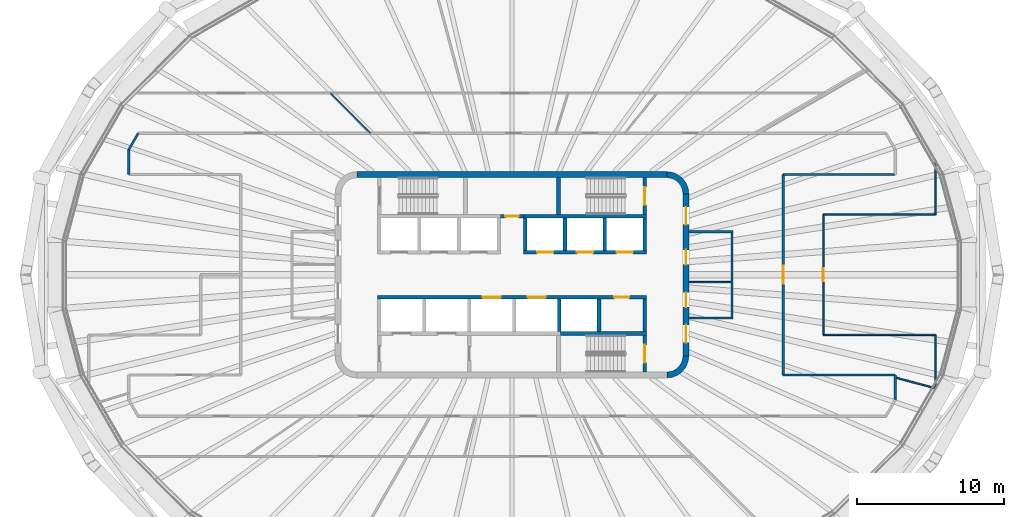
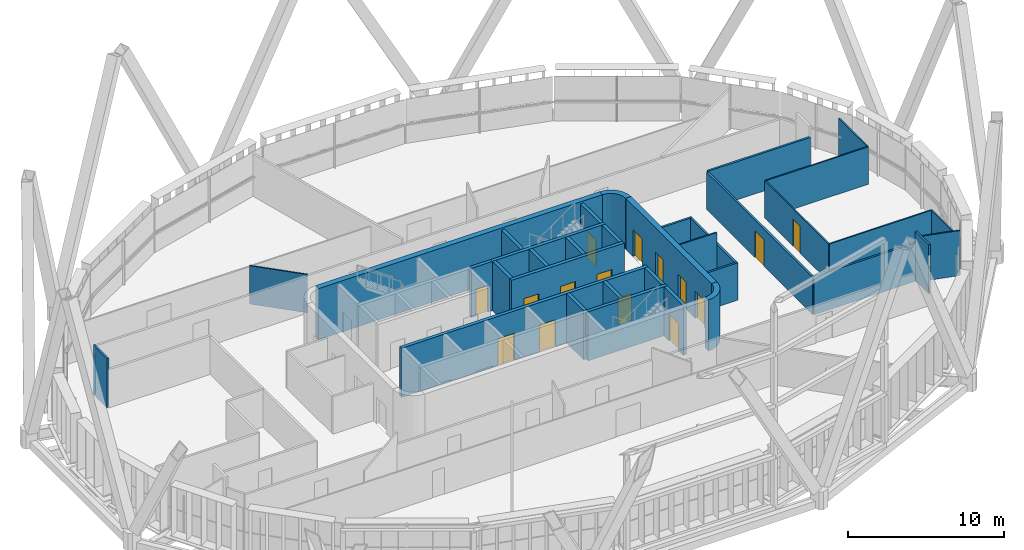
# One storey, part 14 of 22: 36 walls, 15 doors, 15 openings.
"""IFC4 building model written with IfcOpenShell, lengths in metres."""

from ifc_helpers import new_model, si_unit, direction, frame, frame_2d, origin, place, context, subcontext, project, spatial, polyline, rectangle, outline, extrude, material, layer, layer_set, type_object, element, fill, save


model = new_model("IFC4")

# Units and contexts
model_context = context("Model", 3, precision=1e-05, world=origin(), true_north=direction((0.0, 1.0)))
body_context = subcontext(model_context, "Body", "Model", "MODEL_VIEW")
ifc_project = project(units=[si_unit("LENGTHUNIT", "METRE"), si_unit("AREAUNIT", "SQUARE_METRE"), si_unit("VOLUMEUNIT", "CUBIC_METRE"), si_unit("PLANEANGLEUNIT", "RADIAN"), si_unit("MASSUNIT", "GRAM", prefix="KILO")], contexts=[model_context])

# Site, building, storey
site_placement = place(None, origin())
site = spatial("IfcSite", under=ifc_project, at=site_placement, CompositionType="ELEMENT")
building_placement = place(site_placement, origin())
building = spatial("IfcBuilding", under=site, at=building_placement, Name="Sahrelin Media Tower", CompositionType="ELEMENT")
storey_placement = place(building_placement, frame((0.0, 0.0, 233.60009765625)))
storey = spatial("IfcBuildingStorey", under=building, at=storey_placement, Name="L50", CompositionType="ELEMENT", Elevation=233.60009765625)

# Wall
ifc_material_1 = material(Name="Concrete C60/75", Category="concrete")
ifc_layer_1 = layer(ifc_material_1, 0.39990234375)
ifc_layer_set_1 = layer_set([ifc_layer_1], Name="Core wall 400")
wall_type_1 = type_object("IfcWallType", Name="Core wall 400", PredefinedType="SHEAR", material=ifc_layer_set_1)
wall_1_placement = place(storey_placement, frame((-10.5, 6.800048828125, 0.0), z_axis=(0.0, 0.0, 1.0), x_axis=(1.0, 0.0, 0.0)))
element("IfcWall", 1, at=wall_1_placement, inside=storey, type_object=wall_type_1, Name="Core wall N L50", PredefinedType="SHEAR", context=body_context, shape_type="SweptSolid", body=[
    extrude(rectangle(XDim=21.0, YDim=0.39990234375, at=frame_2d((10.5, 0.0))), origin(), (0.0, 0.0, 1.0), 4.0),
])

# Wall, openings, doors
wall_2_placement = place(storey_placement, frame((11.800048828125, -5.5, 0.0), z_axis=(0.0, 0.0, 1.0), x_axis=(0.0, 1.0, 0.0)))
wall_2 = element("IfcWall", 2, at=wall_2_placement, inside=storey, type_object=wall_type_1, Name="Core wall E L50", PredefinedType="SHEAR", context=body_context, shape_type="SweptSolid", body=[
    extrude(rectangle(XDim=11.0, YDim=0.39990234375, at=frame_2d((5.5, 0.0))), origin(), (0.0, 0.0, 1.0), 4.0),
])
opening_1_placement = place(wall_2_placement, frame((3.300048828125, 0.0, 0.0)))
opening_1 = element("IfcOpeningElement", 3, at=opening_1_placement, cuts=wall_2, Name="Opening L50-D10", PredefinedType="OPENING", context=body_context, shape_type="SweptSolid", body=[
    extrude(rectangle(XDim=1.0, YDim=2.10009765625, at=frame_2d((0.5, 1.050048828125))), frame((0.0, 0.199951171875, 0.0), z_axis=(0.0, -1.0, 0.0), x_axis=(1.0, 0.0, 0.0)), (0.0, 0.0, 1.0), 0.39990234375),
])
opening_2_placement = place(wall_2_placement, frame((6.199951171875, 0.0, 0.0)))
opening_2 = element("IfcOpeningElement", 4, at=opening_2_placement, cuts=wall_2, Name="Opening L50-D11", PredefinedType="OPENING", context=body_context, shape_type="SweptSolid", body=[
    extrude(rectangle(XDim=1.0, YDim=2.10009765625, at=frame_2d((0.5, 1.050048828125))), frame((0.0, 0.199951171875, 0.0), z_axis=(0.0, -1.0, 0.0), x_axis=(1.0, 0.0, 0.0)), (0.0, 0.0, 1.0), 0.39990234375),
])
opening_3_placement = place(wall_2_placement, frame((0.89990234375, 0.0, 0.0)))
opening_3 = element("IfcOpeningElement", 5, at=opening_3_placement, cuts=wall_2, Name="Opening L50-D14", PredefinedType="OPENING", context=body_context, shape_type="SweptSolid", body=[
    extrude(rectangle(XDim=1.199951171875, YDim=2.10009765625, at=frame_2d((0.60009765625, 1.050048828125))), frame((0.0, 0.199951171875, 0.0), z_axis=(0.0, -1.0, 0.0), x_axis=(1.0, 0.0, 0.0)), (0.0, 0.0, 1.0), 0.39990234375),
])
opening_4_placement = place(wall_2_placement, frame((8.89990234375, 0.0, 0.0)))
opening_4 = element("IfcOpeningElement", 6, at=opening_4_placement, cuts=wall_2, Name="Opening L50-D15", PredefinedType="OPENING", context=body_context, shape_type="SweptSolid", body=[
    extrude(rectangle(XDim=1.199951171875, YDim=2.10009765625, at=frame_2d((0.60009765625, 1.050048828125))), frame((0.0, 0.199951171875, 0.0), z_axis=(0.0, -1.0, 0.0), x_axis=(1.0, 0.0, 0.0)), (0.0, 0.0, 1.0), 0.39990234375),
])
ifc_material_2 = material(Name="Steel fire door leaf", Category="steel")
door_type_1 = type_object("IfcDoorType", Name="Fire door 1000 x 2100 EI 60", OperationType="NOTDEFINED", PredefinedType="DOOR", material=ifc_material_2)
door_1_placement = place(opening_1_placement, origin())
door_1 = element("IfcDoor", 7, at=door_1_placement, inside=storey, type_object=door_type_1, Name="Core room door", OperationType="SINGLE_SWING_RIGHT", OverallHeight=2.10009765625, OverallWidth=1.0, PredefinedType="DOOR", context=body_context, shape_type="SweptSolid", body=[
    extrude(rectangle(XDim=1.0, YDim=2.10009765625, at=frame_2d((0.5, 1.050048828125))), frame((0.0, 0.02490234375, 0.0), z_axis=(0.0, -1.0, 0.0), x_axis=(1.0, 0.0, 0.0)), (0.0, 0.0, 1.0), 0.050048828125),
])
fill(opening_1, door_1)
door_2_placement = place(opening_2_placement, origin())
door_2 = element("IfcDoor", 8, at=door_2_placement, inside=storey, type_object=door_type_1, Name="Core room door", OperationType="SINGLE_SWING_RIGHT", OverallHeight=2.10009765625, OverallWidth=1.0, PredefinedType="DOOR", context=body_context, shape_type="SweptSolid", body=[
    extrude(rectangle(XDim=1.0, YDim=2.10009765625, at=frame_2d((0.5, 1.050048828125))), frame((0.0, 0.02490234375, 0.0), z_axis=(0.0, -1.0, 0.0), x_axis=(1.0, 0.0, 0.0)), (0.0, 0.0, 1.0), 0.050048828125),
])
fill(opening_2, door_2)
door_type_2 = type_object("IfcDoorType", Name="Lobby door 1200 x 2100 EI 60", OperationType="NOTDEFINED", PredefinedType="DOOR", material=ifc_material_2)
door_3_placement = place(opening_3_placement, origin())
door_3 = element("IfcDoor", 9, at=door_3_placement, inside=storey, type_object=door_type_2, Name="Lobby door", OperationType="SINGLE_SWING_LEFT", OverallHeight=2.10009765625, OverallWidth=1.199951171875, PredefinedType="DOOR", context=body_context, shape_type="SweptSolid", body=[
    extrude(rectangle(XDim=1.199951171875, YDim=2.10009765625, at=frame_2d((0.60009765625, 1.050048828125))), frame((0.0, 0.02490234375, 0.0), z_axis=(0.0, -1.0, 0.0), x_axis=(1.0, 0.0, 0.0)), (0.0, 0.0, 1.0), 0.050048828125),
])
fill(opening_3, door_3)
door_4_placement = place(opening_4_placement, origin())
door_4 = element("IfcDoor", 10, at=door_4_placement, inside=storey, type_object=door_type_2, Name="Lobby door", OperationType="SINGLE_SWING_LEFT", OverallHeight=2.10009765625, OverallWidth=1.199951171875, PredefinedType="DOOR", context=body_context, shape_type="SweptSolid", body=[
    extrude(rectangle(XDim=1.199951171875, YDim=2.10009765625, at=frame_2d((0.60009765625, 1.050048828125))), frame((0.0, 0.02490234375, 0.0), z_axis=(0.0, -1.0, 0.0), x_axis=(1.0, 0.0, 0.0)), (0.0, 0.0, 1.0), 0.050048828125),
])
fill(opening_4, door_4)

# Walls
placement = place(storey_placement, origin())
element("IfcWall", 11, at=placement, inside=storey, type_object=wall_type_1, Name="Core wall corner NE L50", PredefinedType="SHEAR", context=body_context, shape_type="SweptSolid", body=[
    extrude(outline(polyline([(10.5, 7.0), (10.5, 6.596435546875), (10.78369140625, 6.55908203125), (11.04833984375, 6.44970703125), (11.275390625, 6.275390625), (11.44970703125, 6.04833984375), (11.55908203125, 5.78369140625), (11.596435546875, 5.5), (12.0, 5.5), (11.948974609375, 5.88818359375), (11.799072265625, 6.25), (11.560791015625, 6.560791015625), (11.25, 6.799072265625), (10.88818359375, 6.948974609375), (10.5, 7.0)])), origin(), (0.0, 0.0, 1.0), 4.0),
])
element("IfcWall", 12, at=placement, inside=storey, type_object=wall_type_1, Name="Core wall corner SE L50", PredefinedType="SHEAR", context=body_context, shape_type="SweptSolid", body=[
    extrude(outline(polyline([(12.0, -5.5), (11.596435546875, -5.5), (11.55908203125, -5.78369140625), (11.44970703125, -6.04833984375), (11.275390625, -6.275390625), (11.04833984375, -6.44970703125), (10.78369140625, -6.55908203125), (10.5, -6.596435546875), (10.5, -7.0), (10.88818359375, -6.948974609375), (11.25, -6.799072265625), (11.560791015625, -6.560791015625), (11.799072265625, -6.25), (11.948974609375, -5.88818359375), (12.0, -5.5)])), origin(), (0.0, 0.0, 1.0), 4.0),
])

# Wall, opening, door
ifc_material_3 = material(Name="Fire-rated gypsum board partition")
ifc_layer_2 = layer(ifc_material_3, 0.25)
ifc_layer_set_2 = layer_set([ifc_layer_2], Name="Fire-rated lobby wall 250")
wall_type_2 = type_object("IfcWallType", Name="Fire-rated lobby wall 250", PredefinedType="PARTITIONING", material=ifc_layer_set_2)
wall_5_placement = place(storey_placement, frame((-0.77490234375, 3.97509765625, 0.0), z_axis=(0.0, 0.0, 1.0), x_axis=(1.0, 0.0, 0.0)))
wall_5 = element("IfcWall", 13, at=wall_5_placement, inside=storey, type_object=wall_type_2, Name="Core lobby wall", PredefinedType="PARTITIONING", context=body_context, shape_type="SweptSolid", body=[
    extrude(rectangle(XDim=1.5498046875, YDim=0.25, at=frame_2d((0.77490234375, 0.0))), origin(), (0.0, 0.0, 1.0), 3.849853515625),
])
opening_5_placement = place(wall_5_placement, frame((0.324951171875, 0.0, 0.0)))
opening_5 = element("IfcOpeningElement", 14, at=opening_5_placement, cuts=wall_5, Name="Opening L50-D06", PredefinedType="OPENING", context=body_context, shape_type="SweptSolid", body=[
    extrude(rectangle(XDim=0.89990234375, YDim=2.10009765625, at=frame_2d((0.449951171875, 1.050048828125))), frame((0.0, 0.125, 0.0), z_axis=(0.0, -1.0, 0.0), x_axis=(1.0, 0.0, 0.0)), (0.0, 0.0, 1.0), 0.25),
])
door_type_3 = type_object("IfcDoorType", Name="Riser door 900 x 2100 EI 120", OperationType="NOTDEFINED", PredefinedType="DOOR", material=ifc_material_2)
door_5_placement = place(opening_5_placement, origin())
door_5 = element("IfcDoor", 15, at=door_5_placement, inside=storey, type_object=door_type_3, Name="Core room door", OperationType="SINGLE_SWING_LEFT", OverallHeight=2.10009765625, OverallWidth=0.89990234375, PredefinedType="DOOR", context=body_context, shape_type="SweptSolid", body=[
    extrude(rectangle(XDim=0.89990234375, YDim=2.10009765625, at=frame_2d((0.449951171875, 1.050048828125))), frame((0.0, 0.02490234375, 0.0), z_axis=(0.0, -1.0, 0.0), x_axis=(1.0, 0.0, 0.0)), (0.0, 0.0, 1.0), 0.050048828125),
])
fill(opening_5, door_5)

# Walls
ifc_layer_3 = layer(ifc_material_3, 0.10009765625)
ifc_layer_set_3 = layer_set([ifc_layer_3], Name="Fire-rated partition 100")
wall_type_3 = type_object("IfcWallType", Name="Fire-rated partition 100", PredefinedType="PARTITIONING", material=ifc_layer_set_3)
wall_6_placement = place(storey_placement, frame((12.0, -0.5, 0.0), z_axis=(0.0, 0.0, 1.0), x_axis=(1.0, 0.0, 0.0)))
element("IfcWall", 16, at=wall_6_placement, inside=storey, type_object=wall_type_3, Name="Core room partition", PredefinedType="PARTITIONING", context=body_context, shape_type="SweptSolid", body=[
    extrude(rectangle(XDim=2.85009765625, YDim=0.10009765625, at=frame_2d((1.425048828125, 0.0))), origin(), (0.0, 0.0, 1.0), 3.849853515625),
])
ifc_layer_4 = layer(ifc_material_3, 0.14990234375)
ifc_layer_set_4 = layer_set([ifc_layer_4], Name="Fire-rated partition 150")
wall_type_4 = type_object("IfcWallType", Name="Fire-rated partition 150", PredefinedType="PARTITIONING", material=ifc_layer_set_4)
wall_7_placement = place(storey_placement, frame((14.925048828125, -2.85009765625, 0.0), z_axis=(0.0, 0.0, 1.0), x_axis=(0.0, 1.0, 0.0)))
element("IfcWall", 17, at=wall_7_placement, inside=storey, type_object=wall_type_4, Name="Core room fire partition", PredefinedType="PARTITIONING", context=body_context, shape_type="SweptSolid", body=[
    extrude(rectangle(XDim=5.7001953125, YDim=0.14990234375, at=frame_2d((2.85009765625, 0.0))), origin(), (0.0, 0.0, 1.0), 2.918212890625),
])
for number, where, z_axis, x_axis, name in (
    (18, (12.0, 2.925048828125, 0.0), (0.0, 0.0, 1.0), (1.0, 0.0, 0.0), "Core room fire partition"),
    (19, (12.0, -2.925048828125, 0.0), (0.0, 0.0, 1.0), (1.0, 0.0, 0.0), "Core room fire partition"),
):
    element("IfcWall", number, at=place(storey_placement, frame(where, z_axis=z_axis, x_axis=x_axis)), inside=storey, type_object=wall_type_4, Name=name, PredefinedType="PARTITIONING", context=body_context, shape_type="SweptSolid", body=[
        extrude(rectangle(XDim=3.0, YDim=0.14990234375, at=frame_2d((1.5, 0.0))), origin(), (0.0, 0.0, 1.0), 2.918212890625),
    ])
for number, where, z_axis, x_axis, name in (
    (20, (18.39990234375, -6.800048828125, 0.0), (0.0, 0.0, 1.0), (1.0, 0.0, 0.0), "Wall"),
    (21, (18.39990234375, 6.800048828125, 0.0), (0.0, 0.0, 1.0), (1.0, 0.0, 0.0), "Wall"),
):
    element("IfcWall", number, at=place(storey_placement, frame(where, z_axis=z_axis, x_axis=x_axis)), inside=storey, type_object=wall_type_4, Name=name, PredefinedType="PARTITIONING", context=body_context, shape_type="SweptSolid", body=[
        extrude(rectangle(XDim=7.60009765625, YDim=0.14990234375, at=frame_2d((3.800048828125, 0.0))), origin(), (0.0, 0.0, 1.0), 2.994873046875),
    ])
wall_8_placement = place(storey_placement, frame((-26.0, 8.490966796875, 0.0), z_axis=(0.0, 0.0, 1.0), x_axis=(0.499953532967, 0.866052229876, 0.0)))
element("IfcWall", 22, at=wall_8_placement, inside=storey, type_object=wall_type_4, Name="Wall", PredefinedType="PARTITIONING", context=body_context, shape_type="SweptSolid", body=[
    extrude(rectangle(XDim=1.2802734375, YDim=0.14990234375, at=frame_2d((0.64013671875, 0.0))), origin(), (0.0, 0.0, 1.0), 2.994873046875),
])
wall_9_placement = place(storey_placement, frame((26.0, -8.492919921875, 0.0), z_axis=(0.0, 0.0, 1.0), x_axis=(0.0, 1.0, 0.0)))
element("IfcWall", 23, at=wall_9_placement, inside=storey, type_object=wall_type_4, Name="Wall", PredefinedType="PARTITIONING", context=body_context, shape_type="SweptSolid", body=[
    extrude(rectangle(XDim=1.69287109375, YDim=0.14990234375, at=frame_2d((0.846435546875, 0.0))), origin(), (0.0, 0.0, 1.0), 3.849853515625),
])

# Wall, opening, door
wall_10_placement = place(storey_placement, frame((18.39990234375, -6.800048828125, 0.0), z_axis=(0.0, 0.0, 1.0), x_axis=(0.0, 1.0, 0.0)))
wall_10 = element("IfcWall", 24, at=wall_10_placement, inside=storey, type_object=wall_type_4, Name="Wall", PredefinedType="PARTITIONING", context=body_context, shape_type="SweptSolid", body=[
    extrude(rectangle(XDim=13.60009765625, YDim=0.14990234375, at=frame_2d((6.800048828125, 0.0))), origin(), (0.0, 0.0, 1.0), 2.918212890625),
])
opening_6_placement = place(wall_10_placement, frame((6.199951171875, 0.0, 0.0)))
opening_6 = element("IfcOpeningElement", 25, at=opening_6_placement, cuts=wall_10, Name="Opening L50-D21", PredefinedType="OPENING", context=body_context, shape_type="SweptSolid", body=[
    extrude(rectangle(XDim=1.199951171875, YDim=2.10009765625, at=frame_2d((0.60009765625, 1.050048828125))), frame((0.0, 0.074951171875, 0.0), z_axis=(0.0, -1.0, 0.0), x_axis=(1.0, 0.0, 0.0)), (0.0, 0.0, 1.0), 0.14990234375),
])
door_type_4 = type_object("IfcDoorType", Name="Service double door 1200 x 2100 EI 60", OperationType="DOUBLE_DOOR_SINGLE_SWING", PredefinedType="DOOR", material=ifc_material_2)
door_6_placement = place(opening_6_placement, origin())
door_6 = element("IfcDoor", 26, at=door_6_placement, inside=storey, type_object=door_type_4, Name="Service double door", OperationType="DOUBLE_DOOR_SINGLE_SWING", OverallHeight=2.10009765625, OverallWidth=1.199951171875, PredefinedType="DOOR", context=body_context, shape_type="SweptSolid", body=[
    extrude(rectangle(XDim=1.199951171875, YDim=2.10009765625, at=frame_2d((0.60009765625, 1.050048828125))), frame((0.0, 0.02490234375, 0.0), z_axis=(0.0, -1.0, 0.0), x_axis=(1.0, 0.0, 0.0)), (0.0, 0.0, 1.0), 0.050048828125),
])
fill(opening_6, door_6)

# Wall
wall_11_placement = place(storey_placement, frame((-26.0, 6.800048828125, 0.0), z_axis=(0.0, 0.0, 1.0), x_axis=(0.0, 1.0, 0.0)))
element("IfcWall", 27, at=wall_11_placement, inside=storey, type_object=wall_type_4, Name="Wall", PredefinedType="PARTITIONING", context=body_context, shape_type="SweptSolid", body=[
    extrude(rectangle(XDim=1.69091796875, YDim=0.14990234375, at=frame_2d((0.845458984375, 0.0))), origin(), (0.0, 0.0, 1.0), 3.849853515625),
])

# Wall, openings, doors
ifc_layer_5 = layer(ifc_material_1, 0.25)
ifc_layer_set_5 = layer_set([ifc_layer_5], Name="Lift shaft wall 250")
wall_type_5 = type_object("IfcWallType", Name="Lift shaft wall 250", PredefinedType="SOLIDWALL", material=ifc_layer_set_5)
wall_12_placement = place(storey_placement, frame((0.77490234375, 1.52490234375, 0.0), z_axis=(0.0, 0.0, 1.0), x_axis=(1.0, 0.0, 0.0)))
wall_12 = element("IfcWall", 28, at=wall_12_placement, inside=storey, type_object=wall_type_5, Name="Lift shaft wall", PredefinedType="SOLIDWALL", context=body_context, shape_type="SweptSolid", body=[
    extrude(rectangle(XDim=8.35009765625, YDim=0.25, at=frame_2d((4.175048828125, 0.0))), origin(), (0.0, 0.0, 1.0), 3.849853515625),
])
opening_7_placement = place(wall_12_placement, frame((0.925048828125, 0.0, 0.0)))
opening_7 = element("IfcOpeningElement", 29, at=opening_7_placement, cuts=wall_12, Name="Opening L50-LD-HR4", PredefinedType="OPENING", context=body_context, shape_type="SweptSolid", body=[
    extrude(rectangle(XDim=1.10009765625, YDim=2.10009765625, at=frame_2d((0.550048828125, 1.050048828125))), frame((0.0, 0.125, 0.0), z_axis=(0.0, -1.0, 0.0), x_axis=(1.0, 0.0, 0.0)), (0.0, 0.0, 1.0), 0.25),
])
opening_8_placement = place(wall_12_placement, frame((3.625, 0.0, 0.0)))
opening_8 = element("IfcOpeningElement", 30, at=opening_8_placement, cuts=wall_12, Name="Opening L50-LD-HR5", PredefinedType="OPENING", context=body_context, shape_type="SweptSolid", body=[
    extrude(rectangle(XDim=1.10009765625, YDim=2.10009765625, at=frame_2d((0.550048828125, 1.050048828125))), frame((0.0, 0.125, 0.0), z_axis=(0.0, -1.0, 0.0), x_axis=(1.0, 0.0, 0.0)), (0.0, 0.0, 1.0), 0.25),
])
opening_9_placement = place(wall_12_placement, frame((6.324951171875, 0.0, 0.0)))
opening_9 = element("IfcOpeningElement", 31, at=opening_9_placement, cuts=wall_12, Name="Opening L50-LD-HR6", PredefinedType="OPENING", context=body_context, shape_type="SweptSolid", body=[
    extrude(rectangle(XDim=1.10009765625, YDim=2.10009765625, at=frame_2d((0.550048828125, 1.050048828125))), frame((0.0, 0.125, 0.0), z_axis=(0.0, -1.0, 0.0), x_axis=(1.0, 0.0, 0.0)), (0.0, 0.0, 1.0), 0.25),
])
ifc_material_4 = material(Name="Stainless steel", Category="steel")
door_type_5 = type_object("IfcDoorType", Name="Lift landing door 1100 x 2100 EI 120", OperationType="DOUBLE_DOOR_SLIDING", PredefinedType="DOOR", material=ifc_material_4)
door_7_placement = place(opening_7_placement, origin())
door_7 = element("IfcDoor", 32, at=door_7_placement, inside=storey, type_object=door_type_5, Name="Lift landing door HR4", OperationType="DOUBLE_DOOR_SLIDING", OverallHeight=2.10009765625, OverallWidth=1.10009765625, PredefinedType="DOOR", context=body_context, shape_type="SweptSolid", body=[
    extrude(rectangle(XDim=1.10009765625, YDim=2.10009765625, at=frame_2d((0.550048828125, 1.050048828125))), frame((0.0, 0.02490234375, 0.0), z_axis=(0.0, -1.0, 0.0), x_axis=(1.0, 0.0, 0.0)), (0.0, 0.0, 1.0), 0.050048828125),
])
fill(opening_7, door_7)
door_8_placement = place(opening_8_placement, origin())
door_8 = element("IfcDoor", 33, at=door_8_placement, inside=storey, type_object=door_type_5, Name="Lift landing door HR5", OperationType="DOUBLE_DOOR_SLIDING", OverallHeight=2.10009765625, OverallWidth=1.10009765625, PredefinedType="DOOR", context=body_context, shape_type="SweptSolid", body=[
    extrude(rectangle(XDim=1.10009765625, YDim=2.10009765625, at=frame_2d((0.550048828125, 1.050048828125))), frame((0.0, 0.02490234375, 0.0), z_axis=(0.0, -1.0, 0.0), x_axis=(1.0, 0.0, 0.0)), (0.0, 0.0, 1.0), 0.050048828125),
])
fill(opening_8, door_8)
door_9_placement = place(opening_9_placement, origin())
door_9 = element("IfcDoor", 34, at=door_9_placement, inside=storey, type_object=door_type_5, Name="Lift landing door HR6", OperationType="DOUBLE_DOOR_SLIDING", OverallHeight=2.10009765625, OverallWidth=1.10009765625, PredefinedType="DOOR", context=body_context, shape_type="SweptSolid", body=[
    extrude(rectangle(XDim=1.10009765625, YDim=2.10009765625, at=frame_2d((0.550048828125, 1.050048828125))), frame((0.0, 0.02490234375, 0.0), z_axis=(0.0, -1.0, 0.0), x_axis=(1.0, 0.0, 0.0)), (0.0, 0.0, 1.0), 0.050048828125),
])
fill(opening_9, door_9)

# Walls
wall_13_placement = place(storey_placement, frame((0.77490234375, 3.97509765625, 0.0), z_axis=(0.0, 0.0, 1.0), x_axis=(1.0, 0.0, 0.0)))
element("IfcWall", 35, at=wall_13_placement, inside=storey, type_object=wall_type_5, Name="Lift shaft wall", PredefinedType="SOLIDWALL", context=body_context, shape_type="SweptSolid", body=[
    extrude(rectangle(XDim=8.35009765625, YDim=0.25, at=frame_2d((4.175048828125, 0.0))), origin(), (0.0, 0.0, 1.0), 3.849853515625),
])
for number, where, z_axis, x_axis, name in (
    (36, (9.0, 1.64990234375, 0.0), (0.0, 0.0, 1.0), (0.0, 1.0, 0.0), "Lift shaft wall"),
    (37, (6.300048828125, 1.64990234375, 0.0), (0.0, 0.0, 1.0), (0.0, 1.0, 0.0), "Lift shaft wall"),
    (38, (3.60009765625, 1.64990234375, 0.0), (0.0, 0.0, 1.0), (0.0, 1.0, 0.0), "Lift shaft wall"),
    (39, (0.89990234375, 1.64990234375, 0.0), (0.0, 0.0, 1.0), (0.0, 1.0, 0.0), "Lift shaft wall"),
):
    element("IfcWall", number, at=place(storey_placement, frame(where, z_axis=z_axis, x_axis=x_axis)), inside=storey, type_object=wall_type_5, Name=name, PredefinedType="SOLIDWALL", context=body_context, shape_type="SweptSolid", body=[
        extrude(rectangle(XDim=2.2001953125, YDim=0.25, at=frame_2d((1.10009765625, 0.0))), origin(), (0.0, 0.0, 1.0), 3.849853515625),
    ])

# Wall, openings, doors
wall_14_placement = place(storey_placement, frame((-9.125, -1.52490234375, 0.0), z_axis=(0.0, 0.0, 1.0), x_axis=(1.0, 0.0, 0.0)))
wall_14 = element("IfcWall", 40, at=wall_14_placement, inside=storey, type_object=wall_type_5, Name="Lift shaft wall", PredefinedType="SOLIDWALL", context=body_context, shape_type="SweptSolid", body=[
    extrude(rectangle(XDim=18.25, YDim=0.25, at=frame_2d((9.125, 0.0))), origin(), (0.0, 0.0, 1.0), 3.849853515625),
])
opening_10_placement = place(wall_14_placement, frame((7.14990234375, 0.0, 0.0)))
opening_10 = element("IfcOpeningElement", 41, at=opening_10_placement, cuts=wall_14, Name="Opening L50-LD-SV1", PredefinedType="OPENING", context=body_context, shape_type="SweptSolid", body=[
    extrude(rectangle(XDim=1.199951171875, YDim=2.10009765625, at=frame_2d((0.60009765625, 1.050048828125))), frame((0.0, 0.125, 0.0), z_axis=(0.0, -1.0, 0.0), x_axis=(1.0, 0.0, 0.0)), (0.0, 0.0, 1.0), 0.25),
])
opening_11_placement = place(wall_14_placement, frame((10.199951171875, 0.0, 0.0)))
opening_11 = element("IfcOpeningElement", 42, at=opening_11_placement, cuts=wall_14, Name="Opening L50-LD-SV2", PredefinedType="OPENING", context=body_context, shape_type="SweptSolid", body=[
    extrude(rectangle(XDim=1.199951171875, YDim=2.10009765625, at=frame_2d((0.60009765625, 1.050048828125))), frame((0.0, 0.125, 0.0), z_axis=(0.0, -1.0, 0.0), x_axis=(1.0, 0.0, 0.0)), (0.0, 0.0, 1.0), 0.25),
])
opening_12_placement = place(wall_14_placement, frame((16.074951171875, 0.0, 0.0)))
opening_12 = element("IfcOpeningElement", 43, at=opening_12_placement, cuts=wall_14, Name="Opening L50-D07", PredefinedType="OPENING", context=body_context, shape_type="SweptSolid", body=[
    extrude(rectangle(XDim=1.0, YDim=2.10009765625, at=frame_2d((0.5, 1.050048828125))), frame((0.0, 0.125, 0.0), z_axis=(0.0, -1.0, 0.0), x_axis=(1.0, 0.0, 0.0)), (0.0, 0.0, 1.0), 0.25),
])
door_10_placement = place(opening_12_placement, origin())
door_10 = element("IfcDoor", 44, at=door_10_placement, inside=storey, type_object=door_type_1, Name="Core room door", OperationType="SINGLE_SWING_RIGHT", OverallHeight=2.10009765625, OverallWidth=1.0, PredefinedType="DOOR", context=body_context, shape_type="SweptSolid", body=[
    extrude(rectangle(XDim=1.0, YDim=2.10009765625, at=frame_2d((0.5, 1.050048828125))), frame((0.0, 0.02490234375, 0.0), z_axis=(0.0, -1.0, 0.0), x_axis=(1.0, 0.0, 0.0)), (0.0, 0.0, 1.0), 0.050048828125),
])
fill(opening_12, door_10)
door_type_6 = type_object("IfcDoorType", Name="Lift landing door 1200 x 2100 EI 120", OperationType="DOUBLE_DOOR_SLIDING", PredefinedType="DOOR", material=ifc_material_4)
door_11_placement = place(opening_10_placement, origin())
door_11 = element("IfcDoor", 45, at=door_11_placement, inside=storey, type_object=door_type_6, Name="Lift landing door SV1", OperationType="DOUBLE_DOOR_SLIDING", OverallHeight=2.10009765625, OverallWidth=1.199951171875, PredefinedType="DOOR", context=body_context, shape_type="SweptSolid", body=[
    extrude(rectangle(XDim=1.199951171875, YDim=2.10009765625, at=frame_2d((0.60009765625, 1.050048828125))), frame((0.0, 0.02490234375, 0.0), z_axis=(0.0, -1.0, 0.0), x_axis=(1.0, 0.0, 0.0)), (0.0, 0.0, 1.0), 0.050048828125),
])
fill(opening_10, door_11)
door_12_placement = place(opening_11_placement, origin())
door_12 = element("IfcDoor", 46, at=door_12_placement, inside=storey, type_object=door_type_6, Name="Lift landing door SV2", OperationType="DOUBLE_DOOR_SLIDING", OverallHeight=2.10009765625, OverallWidth=1.199951171875, PredefinedType="DOOR", context=body_context, shape_type="SweptSolid", body=[
    extrude(rectangle(XDim=1.199951171875, YDim=2.10009765625, at=frame_2d((0.60009765625, 1.050048828125))), frame((0.0, 0.02490234375, 0.0), z_axis=(0.0, -1.0, 0.0), x_axis=(1.0, 0.0, 0.0)), (0.0, 0.0, 1.0), 0.050048828125),
])
fill(opening_11, door_12)

# Walls
wall_15_placement = place(storey_placement, frame((3.27490234375, -3.97509765625, 0.0), z_axis=(0.0, 0.0, 1.0), x_axis=(1.0, 0.0, 0.0)))
element("IfcWall", 47, at=wall_15_placement, inside=storey, type_object=wall_type_5, Name="Lift shaft wall", PredefinedType="SOLIDWALL", context=body_context, shape_type="SweptSolid", body=[
    extrude(rectangle(XDim=5.85009765625, YDim=0.25, at=frame_2d((2.925048828125, 0.0))), origin(), (0.0, 0.0, 1.0), 3.849853515625),
])
for number, where, z_axis, x_axis, name in (
    (48, (3.199951171875, -3.85009765625, 0.0), (0.0, 0.0, 1.0), (0.0, 1.0, 0.0), "Lift shaft wall"),
    (49, (5.89990234375, -3.85009765625, 0.0), (0.0, 0.0, 1.0), (0.0, 1.0, 0.0), "Lift shaft wall"),
    (50, (9.0, -3.85009765625, 0.0), (0.0, 0.0, 1.0), (0.0, 1.0, 0.0), "Lift shaft wall"),
):
    element("IfcWall", number, at=place(storey_placement, frame(where, z_axis=z_axis, x_axis=x_axis)), inside=storey, type_object=wall_type_5, Name=name, PredefinedType="SOLIDWALL", context=body_context, shape_type="SweptSolid", body=[
        extrude(rectangle(XDim=2.2001953125, YDim=0.25, at=frame_2d((1.10009765625, 0.0))), origin(), (0.0, 0.0, 1.0), 3.849853515625),
    ])
ifc_material_5 = material(Name="Gypsum board partition")
ifc_layer_6 = layer(ifc_material_5, 0.10009765625)
ifc_layer_set_6 = layer_set([ifc_layer_6], Name="Partition 100")
wall_type_6 = type_object("IfcWallType", Name="Partition 100", PredefinedType="PARTITIONING", material=ifc_layer_set_6)
wall_16_placement = place(storey_placement, frame((-12.320068359375, 12.320068359375, 0.0), z_axis=(0.0, 0.0, 1.0), x_axis=(0.707106781187, -0.707106781187, 0.0)))
element("IfcWall", 51, at=wall_16_placement, inside=storey, type_object=wall_type_6, Name="Wall", PredefinedType="PARTITIONING", context=body_context, shape_type="SweptSolid", body=[
    extrude(rectangle(XDim=3.8466796875, YDim=0.10009765625, at=frame_2d((1.92333984375, 0.0))), origin(), (0.0, 0.0, 1.0), 2.994873046875),
])
wall_17_placement = place(storey_placement, frame((26.0, -6.967041015625, 0.0), z_axis=(0.0, 0.0, 1.0), x_axis=(0.965908960342, -0.258881981472, 0.0)))
element("IfcWall", 52, at=wall_17_placement, inside=storey, type_object=wall_type_6, Name="Wall", PredefinedType="PARTITIONING", context=body_context, shape_type="SweptSolid", body=[
    extrude(rectangle(XDim=2.81591796875, YDim=0.10009765625, at=frame_2d((1.407958984375, 0.0))), origin(), (0.0, 0.0, 1.0), 3.526611328125),
])
for number, where, z_axis, x_axis, name in (
    (53, (21.1201171875, -4.080078125, 0.0), (0.0, 0.0, 1.0), (1.0, 0.0, 0.0), "Wall"),
    (54, (21.1201171875, 4.080078125, 0.0), (0.0, 0.0, 1.0), (1.0, 0.0, 0.0), "Wall"),
):
    element("IfcWall", number, at=place(storey_placement, frame(where, z_axis=z_axis, x_axis=x_axis)), inside=storey, type_object=wall_type_6, Name=name, PredefinedType="PARTITIONING", context=body_context, shape_type="SweptSolid", body=[
        extrude(rectangle(XDim=7.599853515625, YDim=0.10009765625, at=frame_2d((3.7998046875, 0.0))), origin(), (0.0, 0.0, 1.0), 2.927001953125),
    ])
wall_18_placement = place(storey_placement, frame((28.719970703125, -7.696044921875, 0.0), z_axis=(0.0, 0.0, 1.0), x_axis=(0.0, 1.0, 0.0)))
element("IfcWall", 55, at=wall_18_placement, inside=storey, type_object=wall_type_6, Name="Wall", PredefinedType="PARTITIONING", context=body_context, shape_type="SweptSolid", body=[
    extrude(rectangle(XDim=3.615966796875, YDim=0.10009765625, at=frame_2d((1.80810546875, 0.0))), origin(), (0.0, 0.0, 1.0), 2.918212890625),
])
wall_19_placement = place(storey_placement, frame((28.719970703125, 4.080078125, 0.0), z_axis=(0.0, 0.0, 1.0), x_axis=(0.0, 1.0, 0.0)))
element("IfcWall", 56, at=wall_19_placement, inside=storey, type_object=wall_type_6, Name="Wall", PredefinedType="PARTITIONING", context=body_context, shape_type="SweptSolid", body=[
    extrude(rectangle(XDim=3.701904296875, YDim=0.10009765625, at=frame_2d((1.85107421875, 0.0))), origin(), (0.0, 0.0, 1.0), 2.918212890625),
])

# Wall, opening, door
wall_20_placement = place(storey_placement, frame((21.1201171875, -4.080078125, 0.0), z_axis=(0.0, 0.0, 1.0), x_axis=(0.0, 1.0, 0.0)))
wall_20 = element("IfcWall", 57, at=wall_20_placement, inside=storey, type_object=wall_type_6, Name="Wall", PredefinedType="PARTITIONING", context=body_context, shape_type="SweptSolid", body=[
    extrude(rectangle(XDim=8.16015625, YDim=0.10009765625, at=frame_2d((4.080078125, 0.0))), origin(), (0.0, 0.0, 1.0), 2.918212890625),
])
opening_13_placement = place(wall_20_placement, frame((3.6298828125, 0.0, 0.0)))
opening_13 = element("IfcOpeningElement", 58, at=opening_13_placement, cuts=wall_20, Name="Opening L50-D22", PredefinedType="OPENING", context=body_context, shape_type="SweptSolid", body=[
    extrude(rectangle(XDim=0.89990234375, YDim=2.10009765625, at=frame_2d((0.449951171875, 1.050048828125))), frame((0.0, 0.050048828125, 0.0), z_axis=(0.0, -1.0, 0.0), x_axis=(1.0, 0.0, 0.0)), (0.0, 0.0, 1.0), 0.10009765625),
])
ifc_material_6 = material(Name="Timber door leaf", Category="wood")
door_type_7 = type_object("IfcDoorType", Name="Single door 900 x 2100", OperationType="NOTDEFINED", PredefinedType="DOOR", material=ifc_material_6)
door_13_placement = place(opening_13_placement, origin())
door_13 = element("IfcDoor", 59, at=door_13_placement, inside=storey, type_object=door_type_7, Name="Single door", OperationType="SINGLE_SWING_RIGHT", OverallHeight=2.10009765625, OverallWidth=0.89990234375, PredefinedType="DOOR", context=body_context, shape_type="SweptSolid", body=[
    extrude(rectangle(XDim=0.89990234375, YDim=2.10009765625, at=frame_2d((0.449951171875, 1.050048828125))), frame((0.0, 0.02490234375, 0.0), z_axis=(0.0, -1.0, 0.0), x_axis=(1.0, 0.0, 0.0)), (0.0, 0.0, 1.0), 0.050048828125),
])
fill(opening_13, door_13)

ifc_layer_7 = layer(ifc_material_1, 0.25)
ifc_layer_set_7 = layer_set([ifc_layer_7], Name="Stair enclosure wall 250")
wall_type_7 = type_object("IfcWallType", Name="Stair enclosure wall 250", PredefinedType="SOLIDWALL", material=ifc_layer_set_7)
wall_21_placement = place(storey_placement, frame((9.0, 4.10009765625, 0.0), z_axis=(0.0, 0.0, 1.0), x_axis=(0.0, 1.0, 0.0)))
wall_21 = element("IfcWall", 60, at=wall_21_placement, inside=storey, type_object=wall_type_7, Name="Stair enclosure wall", PredefinedType="SOLIDWALL", context=body_context, shape_type="SweptSolid", body=[
    extrude(rectangle(XDim=2.5, YDim=0.25, at=frame_2d((1.25, 0.0))), origin(), (0.0, 0.0, 1.0), 3.849853515625),
])
opening_14_placement = place(wall_21_placement, frame((0.64990234375, 0.0, 0.0)))
opening_14 = element("IfcOpeningElement", 61, at=opening_14_placement, cuts=wall_21, Name="Opening L50-D02", PredefinedType="OPENING", context=body_context, shape_type="SweptSolid", body=[
    extrude(rectangle(XDim=1.199951171875, YDim=2.10009765625, at=frame_2d((0.60009765625, 1.050048828125))), frame((0.0, 0.125, 0.0), z_axis=(0.0, -1.0, 0.0), x_axis=(1.0, 0.0, 0.0)), (0.0, 0.0, 1.0), 0.25),
])
door_type_8 = type_object("IfcDoorType", Name="Stair door 1200 x 2100 EI 120", OperationType="NOTDEFINED", PredefinedType="DOOR", material=ifc_material_2)
door_14_placement = place(opening_14_placement, origin())
door_14 = element("IfcDoor", 62, at=door_14_placement, inside=storey, type_object=door_type_8, Name="Stair door ST3", OperationType="SINGLE_SWING_LEFT", OverallHeight=2.10009765625, OverallWidth=1.199951171875, PredefinedType="DOOR", context=body_context, shape_type="SweptSolid", body=[
    extrude(rectangle(XDim=1.199951171875, YDim=2.10009765625, at=frame_2d((0.60009765625, 1.050048828125))), frame((0.0, 0.02490234375, 0.0), z_axis=(0.0, -1.0, 0.0), x_axis=(1.0, 0.0, 0.0)), (0.0, 0.0, 1.0), 0.050048828125),
])
fill(opening_14, door_14)

wall_22_placement = place(storey_placement, frame((9.0, -6.60009765625, 0.0), z_axis=(0.0, 0.0, 1.0), x_axis=(0.0, 1.0, 0.0)))
wall_22 = element("IfcWall", 63, at=wall_22_placement, inside=storey, type_object=wall_type_7, Name="Stair enclosure wall", PredefinedType="SOLIDWALL", context=body_context, shape_type="SweptSolid", body=[
    extrude(rectangle(XDim=2.5, YDim=0.25, at=frame_2d((1.25, 0.0))), origin(), (0.0, 0.0, 1.0), 3.849853515625),
])
opening_15_placement = place(wall_22_placement, frame((0.64990234375, 0.0, 0.0)))
opening_15 = element("IfcOpeningElement", 64, at=opening_15_placement, cuts=wall_22, Name="Opening L50-D03", PredefinedType="OPENING", context=body_context, shape_type="SweptSolid", body=[
    extrude(rectangle(XDim=1.199951171875, YDim=2.10009765625, at=frame_2d((0.60009765625, 1.050048828125))), frame((0.0, 0.125, 0.0), z_axis=(0.0, -1.0, 0.0), x_axis=(1.0, 0.0, 0.0)), (0.0, 0.0, 1.0), 0.25),
])
door_15_placement = place(opening_15_placement, origin())
door_15 = element("IfcDoor", 65, at=door_15_placement, inside=storey, type_object=door_type_8, Name="Stair door ST2", OperationType="SINGLE_SWING_LEFT", OverallHeight=2.10009765625, OverallWidth=1.199951171875, PredefinedType="DOOR", context=body_context, shape_type="SweptSolid", body=[
    extrude(rectangle(XDim=1.199951171875, YDim=2.10009765625, at=frame_2d((0.60009765625, 1.050048828125))), frame((0.0, 0.02490234375, 0.0), z_axis=(0.0, -1.0, 0.0), x_axis=(1.0, 0.0, 0.0)), (0.0, 0.0, 1.0), 0.050048828125),
])
fill(opening_15, door_15)

# Wall
wall_23_placement = place(storey_placement, frame((3.14990234375, 4.10009765625, 0.0), z_axis=(0.0, 0.0, 1.0), x_axis=(0.0, 1.0, 0.0)))
element("IfcWall", 66, at=wall_23_placement, inside=storey, type_object=wall_type_7, Name="Stair enclosure wall", PredefinedType="SOLIDWALL", context=body_context, shape_type="SweptSolid", body=[
    extrude(rectangle(XDim=2.5, YDim=0.25, at=frame_2d((1.25, 0.0))), origin(), (0.0, 0.0, 1.0), 3.849853515625),
])

save(model, "model.ifc")
